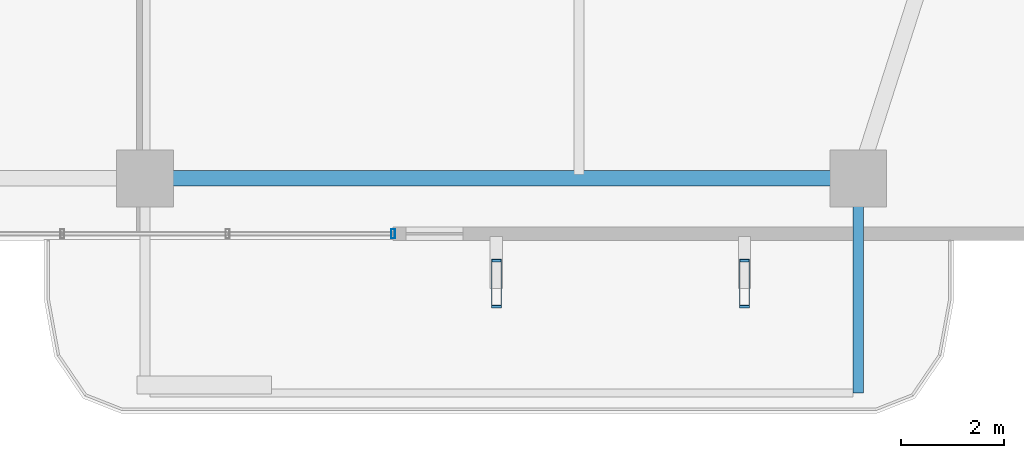
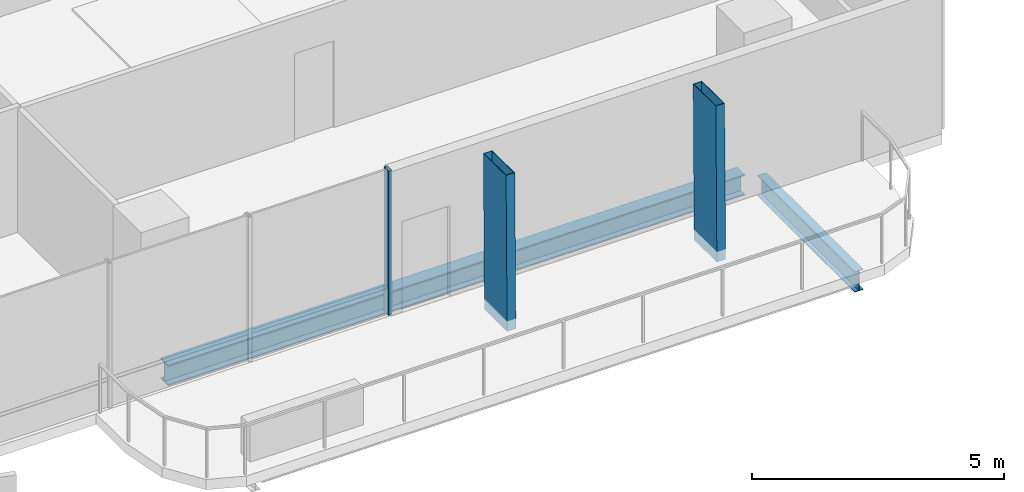
# One storey, part 8 of 24: 3 members, 2 beams, 1 element without a shape of its own.
"""IFC4 building model written with IfcOpenShell, lengths in metres."""

from ifc_helpers import new_model, si_unit, direction, frame, origin, origin_2d, place, context, subcontext, project, spatial, hollow_rectangle, i_section, extrude, material, layer, layer_set, material_profile, profile_set, type_object, element, aggregate, save


model = new_model("IFC4")

# Units and contexts
model_context = context("Model", 3, precision=1e-05, world=origin(), true_north=direction((0.0, 1.0)))
body_context = subcontext(model_context, "Body", "Model", "MODEL_VIEW")
ifc_project = project(units=[si_unit("LENGTHUNIT", "METRE"), si_unit("AREAUNIT", "SQUARE_METRE"), si_unit("VOLUMEUNIT", "CUBIC_METRE"), si_unit("PLANEANGLEUNIT", "RADIAN"), si_unit("MASSUNIT", "GRAM", prefix="KILO")], contexts=[model_context])

# Site, building, storey
site_placement = place(None, origin())
site = spatial("IfcSite", under=ifc_project, at=site_placement, CompositionType="ELEMENT")
building_placement = place(site_placement, origin())
building = spatial("IfcBuilding", under=site, at=building_placement, Name="Belovzor Exchange Tower", CompositionType="ELEMENT")
storey_placement = place(building_placement, frame((0.0, 0.0, 179.550048828125)))
storey = spatial("IfcBuildingStorey", under=building, at=storey_placement, Name="L44", CompositionType="ELEMENT", Elevation=179.550048828125)

# Beam
ifc_material_1 = material(Name="Steel S355", Category="steel")
ifc_material_profile_1 = material_profile(ifc_material_1, i_section(OverallWidth=0.199951171875, OverallDepth=0.5, WebThickness=0.01025390625, FlangeThickness=0.01611328125, at=origin_2d()))
ifc_profile_set_1 = profile_set([ifc_material_profile_1], Name="Steel S355")
beam_type_1 = type_object("IfcBeamType", Name="Planted Balcony Cantilever Beam IPE 500", PredefinedType="BEAM", material=ifc_profile_set_1)
beam_1_placement = place(storey_placement, frame((42.60009765625, 5.39697265625, -0.505126953125), z_axis=(0.0, -1.0, 0.0), x_axis=(1.0, 0.0, 0.0)))
element("IfcBeam", 1, at=beam_1_placement, inside=storey, type_object=beam_type_1, Name="BC-500 Planted Balcony Cantilever Beam IPE 500", PredefinedType="BEAM", context=body_context, shape_type="SweptSolid", body=[
    extrude(i_section(OverallWidth=0.199951171875, OverallDepth=0.5, WebThickness=0.01025390625, FlangeThickness=0.01611328125, at=origin_2d()), origin(), (0.0, 0.0, 1.0), 3.849853515625),
])

# Members
ifc_material_2 = material(Name="Extruded Architectural Terracotta on Steel S355 Carrier", Category="masonry")
ifc_material_profile_2 = material_profile(ifc_material_2, hollow_rectangle(XDim=0.199951171875, YDim=0.89990234375, WallThickness=0.011962890625, at=origin_2d()))
ifc_profile_set_2 = profile_set([ifc_material_profile_2], Name="Extruded Architectural Terracotta on Steel S355 Carrier")
member_type_1 = type_object("IfcMemberType", Name="Sweeping Terracotta Baguette Fin Assembly 1250", PredefinedType="USERDEFINED", material=ifc_profile_set_2)
for number, where, z_axis, x_axis, name in (
    (2, (35.60009765625, 3.64697265625, -0.255126953125), (0.0, 0.011197214661, 0.999937309227), (-1.0, 0.0, 0.0), "FIN-TC125 Terracotta Facade Fin L44 S3"),
    (3, (40.39990234375, 3.64697265625, -0.255126953125), (0.0, 0.011197214661, 0.999937309227), (-1.0, 0.0, 0.0), "FIN-TC125 Terracotta Facade Fin L44 S4"),
):
    element("IfcMember", number, at=place(storey_placement, frame(where, z_axis=z_axis, x_axis=x_axis)), inside=storey, type_object=member_type_1, Name=name, ObjectType="FIN", PredefinedType="USERDEFINED", context=body_context, shape_type="SweptSolid", body=[
        extrude(hollow_rectangle(XDim=0.199951171875, YDim=0.89990234375, WallThickness=0.011962890625, at=origin_2d()), origin(), (0.0, 0.0, 1.0), 3.750244140625),
    ])

# Curtain wall, member
ifc_material_3 = material(Name="Anodised Aluminium Framing", Category="aluminium")
ifc_layer = layer(ifc_material_3, 0.179931640625)
ifc_layer_set = layer_set([ifc_layer], Name="Anodised Aluminium Framing")
curtain_wall_type = type_object("IfcCurtainWallType", Name="Recessed Loggia Low-Iron Triple-Glazed Curtain Wall", PredefinedType="NOTDEFINED", material=ifc_layer_set)
curtain_wall_placement = place(storey_placement, origin())
curtain_wall = element("IfcCurtainWall", 4, at=curtain_wall_placement, inside=storey, type_object=curtain_wall_type, Name="CW3 Recessed Loggia Low-Iron Triple-Glazed Curtain Wall L44", PredefinedType="NOTDEFINED")
ifc_material_4 = material(Name="Steel S355", Category="steel")
ifc_material_profile_3 = material_profile(ifc_material_4, hollow_rectangle(XDim=0.074951171875, YDim=0.179931640625, WallThickness=0.0048828125, at=origin_2d()))
ifc_profile_set_3 = profile_set([ifc_material_profile_3], Name="Steel S355")
member_type_2 = type_object("IfcMemberType", Name="Thermally Broken Curtain Wall Mullion 180x75", PredefinedType="MULLION", material=ifc_profile_set_3)
member_placement = place(storey_placement, frame((33.60009765625, 4.6298828125, 0.0), z_axis=(0.0, 0.0, 1.0), x_axis=(-1.0, 0.0, 0.0)))
member = element("IfcMember", 5, at=member_placement, type_object=member_type_2, Name="CW-M180 Curtain Wall Mullion 1", PredefinedType="MULLION", context=body_context, shape_type="SweptSolid", body=[
    extrude(hollow_rectangle(XDim=0.074951171875, YDim=0.179931640625, WallThickness=0.0048828125, at=origin_2d()), origin(), (0.0, 0.0, 1.0), 3.494873046875),
])
aggregate(curtain_wall, [member])

# Beam
ifc_material_5 = material(Name="Steel S355", Category="steel")
ifc_material_profile_4 = material_profile(ifc_material_5, i_section(OverallWidth=0.300048828125, OverallDepth=0.5, WebThickness=0.014404296875, FlangeThickness=0.028076171875, at=origin_2d()))
ifc_profile_set_4 = profile_set([ifc_material_profile_4], Name="Steel S355")
beam_type_2 = type_object("IfcBeamType", Name="Zone 3 Waist Primary Girder HEB 500", PredefinedType="BEAM", material=ifc_profile_set_4)
beam_2_placement = place(storey_placement, frame((29.10205078125, 5.699951171875, -0.505126953125), z_axis=(1.0, 0.0, 0.0), x_axis=(0.0, 1.0, 0.0)))
element("IfcBeam", 6, at=beam_2_placement, inside=storey, type_object=beam_type_2, Name="FG-Z3 Zone 3 Waist Primary Girder HEB 500", PredefinedType="BEAM", context=body_context, shape_type="SweptSolid", body=[
    extrude(i_section(OverallWidth=0.300048828125, OverallDepth=0.5, WebThickness=0.014404296875, FlangeThickness=0.028076171875, at=origin_2d()), origin(), (0.0, 0.0, 1.0), 13.195068359375),
])

save(model, "model.ifc")
